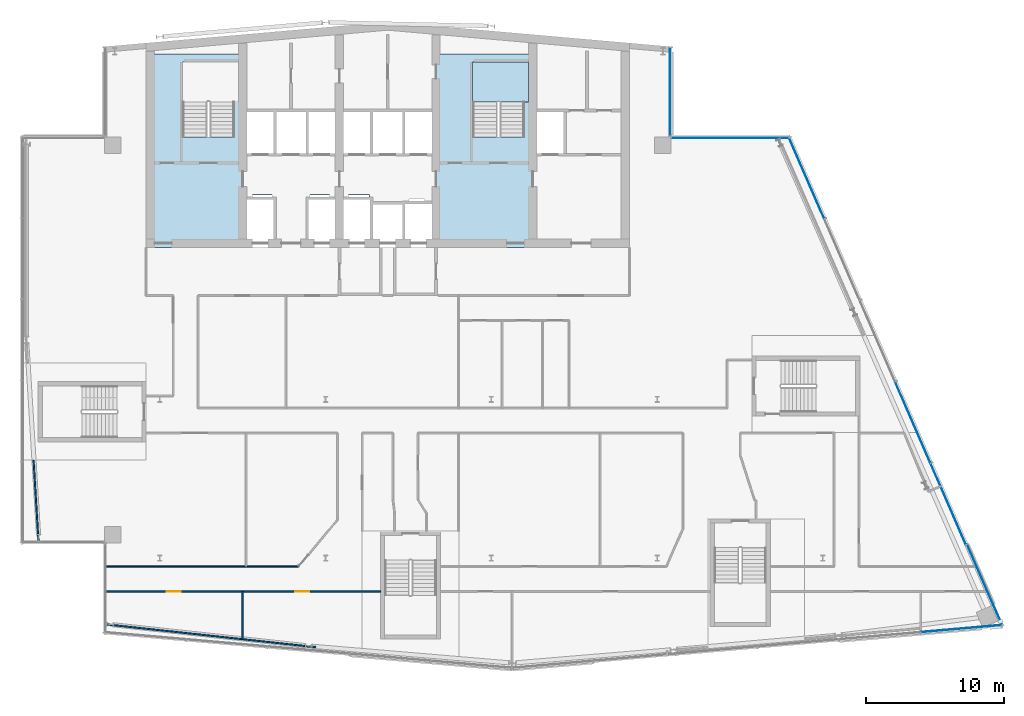
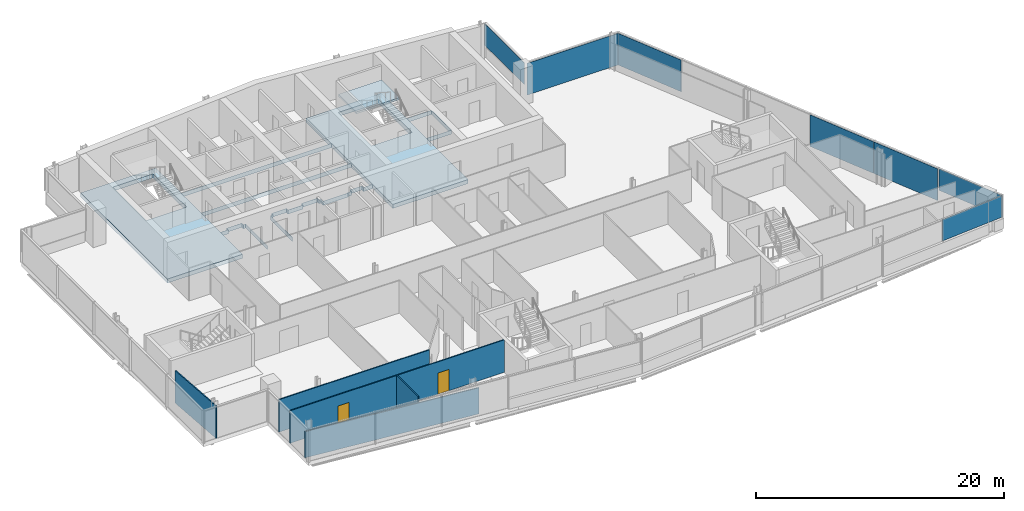
# One storey, part 13 of 22: 7 plates, 5 walls, 2 doors, 2 slabs, 2 openings, 5 elements without a shape of their own.
"""IFC4 building model written with IfcOpenShell, lengths in metres."""

from ifc_helpers import new_model, si_unit, direction, frame, frame_2d, origin, origin_2d, place, context, subcontext, project, spatial, polyline, rectangle, outline, extrude, material, layer, layer_set, type_object, element, fill, aggregate, save


model = new_model("IFC4")

# Units and contexts
model_context = context("Model", 3, precision=1e-05, world=origin(), true_north=direction((0.0, 1.0)))
body_context = subcontext(model_context, "Body", "Model", "MODEL_VIEW")
ifc_project = project(units=[si_unit("LENGTHUNIT", "METRE"), si_unit("AREAUNIT", "SQUARE_METRE"), si_unit("VOLUMEUNIT", "CUBIC_METRE"), si_unit("PLANEANGLEUNIT", "RADIAN"), si_unit("MASSUNIT", "GRAM", prefix="KILO")], contexts=[model_context])

# Site, building, storey
site_placement = place(None, origin())
site = spatial("IfcSite", under=ifc_project, at=site_placement, CompositionType="ELEMENT")
building_placement = place(site_placement, origin())
building = spatial("IfcBuilding", under=site, at=building_placement, Name="Wharfspan Tower", CompositionType="ELEMENT")
storey_placement = place(building_placement, frame((0.0, 0.0, 246.699951)))
storey = spatial("IfcBuildingStorey", under=building, at=storey_placement, Name="L62", CompositionType="ELEMENT", Elevation=246.699951)

# Curtain wall, plate
ifc_material_1 = material(Name="Aluminium 6063-T6", Category="aluminium")
curtain_wall_type_1 = type_object("IfcCurtainWallType", Name="CURTAIN WALL FACETED FRONT", PredefinedType="NOTDEFINED", material=ifc_material_1)
curtain_wall_1_placement = place(storey_placement, origin())
curtain_wall_1 = element("IfcCurtainWall", 1, at=curtain_wall_1_placement, inside=storey, type_object=curtain_wall_type_1, Name="Curtain wall S2", PredefinedType="NOTDEFINED")
ifc_material_2 = material(Name="Glass clear low-iron double glazing", Category="glass")
ifc_layer_1 = layer(ifc_material_2, 0.040039)
ifc_layer_set_1 = layer_set([ifc_layer_1], Name="Glass clear low-iron double glazing")
plate_type_1 = type_object("IfcPlateType", Name="GLASS PANEL FACETED FRONT 40", PredefinedType="CURTAIN_PANEL", material=ifc_layer_set_1)
plate_1_placement = place(storey_placement, frame((82.021484, 6.399658, 1.0), z_axis=(0.0, 0.0, 1.0), x_axis=(0.996197, 0.087156, 0.0)))
plate_1 = element("IfcPlate", 2, at=plate_1_placement, type_object=plate_type_1, Name="Curtain wall S2 panel 6", PredefinedType="CURTAIN_PANEL", context=body_context, shape_type="SweptSolid", body=[
    extrude(rectangle(XDim=5.849365, YDim=0.040039, at=origin_2d()), origin(), (0.0, 0.0, 1.0), 2.120117),
])
aggregate(curtain_wall_1, [plate_1])

curtain_wall_type_2 = type_object("IfcCurtainWallType", Name="CURTAIN WALL PROW AND END", PredefinedType="NOTDEFINED", material=ifc_material_1)
curtain_wall_2_placement = place(storey_placement, origin())
curtain_wall_2 = element("IfcCurtainWall", 3, at=curtain_wall_2_placement, inside=storey, type_object=curtain_wall_type_2, Name="Curtain wall E", PredefinedType="NOTDEFINED")
ifc_layer_2 = layer(ifc_material_2, 0.040039)
ifc_layer_set_2 = layer_set([ifc_layer_2], Name="Glass clear low-iron double glazing")
plate_type_2 = type_object("IfcPlateType", Name="GLASS PANEL PROW AND END 40", PredefinedType="CURTAIN_PANEL", material=ifc_layer_set_2)
plate_2_placement = place(storey_placement, frame((83.711426, 9.563721, 1.0), z_axis=(0.0, 0.0, 1.0), x_axis=(-0.398727, 0.917072, 0.0)))
plate_2 = element("IfcPlate", 4, at=plate_2_placement, type_object=plate_type_2, Name="Curtain wall E panel 1", PredefinedType="CURTAIN_PANEL", context=body_context, shape_type="SweptSolid", body=[
    extrude(rectangle(XDim=6.343506, YDim=0.040039, at=origin_2d()), origin(), (0.0, 0.0, 1.0), 2.120117),
])

curtain_wall_3_placement = place(storey_placement, origin())
curtain_wall_3 = element("IfcCurtainWall", 5, at=curtain_wall_3_placement, inside=storey, type_object=curtain_wall_type_2, Name="Curtain wall NRE-V", PredefinedType="NOTDEFINED")
plate_3_placement = place(storey_placement, frame((60.919922, 45.262451, 1.0), z_axis=(0.0, 0.0, 1.0), x_axis=(0.0, 1.0, 0.0)))
plate_3 = element("IfcPlate", 6, at=plate_3_placement, type_object=plate_type_2, Name="Curtain wall NRE-V panel 1", PredefinedType="CURTAIN_PANEL", context=body_context, shape_type="SweptSolid", body=[
    extrude(rectangle(XDim=6.405029, YDim=0.040039, at=origin_2d()), origin(), (0.0, 0.0, 1.0), 2.120117),
])
aggregate(curtain_wall_3, [plate_3])

# Plate
ifc_material_3 = material(Name="Aluminium composite opaque insulated panel", Category="aluminium")
ifc_layer_3 = layer(ifc_material_3, 0.040039)
ifc_layer_set_3 = layer_set([ifc_layer_3], Name="Aluminium composite opaque insulated panel")
plate_type_3 = type_object("IfcPlateType", Name="INFILL PANEL PROW AND END OPAQUE 40", PredefinedType="SHEET", material=ifc_layer_set_3)
plate_4_placement = place(storey_placement, frame((81.078857, 15.418213, 0.0), z_axis=(0.0, 0.0, 1.0), x_axis=(-0.398727, 0.917072, 0.0)))
plate_4 = element("IfcPlate", 7, at=plate_4_placement, type_object=plate_type_3, Name="Curtain wall E panel 2", PredefinedType="SHEET", context=body_context, shape_type="SweptSolid", body=[
    extrude(rectangle(XDim=6.373535, YDim=0.040039, at=origin_2d()), origin(), (0.0, 0.0, 1.0), 3.120117),
])

plate_5_placement = place(storey_placement, frame((78.513672, 21.318115, 0.0), z_axis=(0.0, 0.0, 1.0), x_axis=(-0.398727, 0.917072, 0.0)))
plate_5 = element("IfcPlate", 8, at=plate_5_placement, type_object=plate_type_3, Name="Curtain wall E panel 3", PredefinedType="SHEET", context=body_context, shape_type="SweptSolid", body=[
    extrude(rectangle(XDim=6.373535, YDim=0.040039, at=origin_2d()), origin(), (0.0, 0.0, 1.0), 3.120117),
])

plate_6_placement = place(storey_placement, frame((70.823975, 39.004395, 0.0), z_axis=(0.0, 0.0, 1.0), x_axis=(-0.398727, 0.917072, 0.0)))
plate_6 = element("IfcPlate", 9, at=plate_6_placement, type_object=plate_type_3, Name="Curtain wall E panel 6", PredefinedType="SHEET", context=body_context, shape_type="SweptSolid", body=[
    extrude(rectangle(XDim=6.343506, YDim=0.040039, at=origin_2d()), origin(), (0.0, 0.0, 1.0), 3.120117),
])

aggregate(curtain_wall_2, [plate_2, plate_4, plate_5, plate_6])

# Curtain wall, plate
curtain_wall_4_placement = place(storey_placement, origin())
curtain_wall_4 = element("IfcCurtainWall", 10, at=curtain_wall_4_placement, inside=storey, type_object=curtain_wall_type_2, Name="Curtain wall NRE-H", PredefinedType="NOTDEFINED")
plate_7_placement = place(storey_placement, frame((65.304443, 41.919922, 0.0), z_axis=(0.0, 0.0, 1.0), x_axis=(-1.0, 0.0, 0.0)))
plate_7 = element("IfcPlate", 11, at=plate_7_placement, type_object=plate_type_3, Name="Curtain wall NRE-H panel 1", PredefinedType="SHEET", context=body_context, shape_type="SweptSolid", body=[
    extrude(rectangle(XDim=8.48877, YDim=0.040039, at=origin_2d()), origin(), (0.0, 0.0, 1.0), 3.120117),
])
aggregate(curtain_wall_4, [plate_7])

# Slab
ifc_material_4 = material(Name="Concrete C40/50", Category="concrete")
ifc_layer_4 = layer(ifc_material_4, 0.399902)
ifc_layer_set_4 = layer_set([ifc_layer_4], Name="Concrete C40/50")
slab_type_1 = type_object("IfcSlabType", Name="Post-tensioned flat slab 400", PredefinedType="FLOOR", material=ifc_layer_set_4)
slab_1_placement = place(storey_placement, frame((0.0, 0.0, -0.400146)))
element("IfcSlab", 12, at=slab_1_placement, inside=storey, type_object=slab_type_1, Name="Core floor slab L62 part 2", PredefinedType="FLOOR", context=body_context, shape_type="SweptSolid", body=[
    extrude(outline(polyline([(23.0, 34.0), (29.998047, 34.0), (29.998047, 37.550049), (29.998047, 37.550293), (29.998047, 37.550293), (29.998047, 37.550537), (29.998291, 37.550781), (29.998291, 37.550781), (29.998291, 37.551025), (29.998535, 37.55127), (29.998535, 37.551514), (29.998779, 37.551514), (29.998779, 37.551758), (29.999023, 37.551758), (29.999268, 37.551758), (29.999512, 37.552002), (29.999512, 37.552002), (29.999756, 37.552002), (30.0, 37.552002), (30.7146, 37.552002), (30.7146, 37.800049), (30.7146, 37.800293), (30.7146, 37.800293), (30.714844, 37.800537), (30.714844, 37.800781), (30.714844, 37.800781), (30.715088, 37.801025), (30.715088, 37.80127), (30.715332, 37.801514), (30.715332, 37.801514), (30.715576, 37.801758), (30.71582, 37.801758), (30.71582, 37.801758), (30.716064, 37.802002), (30.716309, 37.802002), (30.716553, 37.802002), (30.716797, 37.802002), (32.116699, 37.802002), (32.116943, 37.802002), (32.117188, 37.802002), (32.117188, 37.802002), (32.117432, 37.801758), (32.117676, 37.801758), (32.11792, 37.801758), (32.11792, 37.801514), (32.118164, 37.801514), (32.118164, 37.80127), (32.118408, 37.801025), (32.118408, 37.800781), (32.118408, 37.800781), (32.118652, 37.800537), (32.118652, 37.800293), (32.118652, 37.800293), (32.118652, 37.800049), (32.118652, 37.552002), (32.333252, 37.552002), (32.333496, 37.552002), (32.33374, 37.552002), (32.333984, 37.552002), (32.333984, 37.551758), (32.334229, 37.551758), (32.334473, 37.551758), (32.334717, 37.551514), (32.334717, 37.551514), (32.334961, 37.55127), (32.334961, 37.551025), (32.335205, 37.550781), (32.335205, 37.550781), (32.335205, 37.550537), (32.335205, 37.550293), (32.335205, 37.550293), (32.335205, 37.550049), (32.335205, 34.0), (32.341309, 34.0), (32.341309, 37.558105), (32.126709, 37.558105), (32.126465, 37.558105), (32.126221, 37.558105), (32.126221, 37.558105), (32.125977, 37.558105), (32.125732, 37.558105), (32.125488, 37.55835), (32.125488, 37.558594), (32.125244, 37.558594), (32.125244, 37.558594), (32.125, 37.558838), (32.125, 37.559082), (32.125, 37.559082), (32.124756, 37.559326), (32.124756, 37.55957), (32.124756, 37.559814), (32.124756, 37.560059), (32.124756, 37.808105), (30.70874, 37.808105), (30.70874, 37.560059), (30.70874, 37.559814), (30.70874, 37.55957), (30.708496, 37.559326), (30.708496, 37.559082), (30.708496, 37.559082), (30.708496, 37.558838), (30.708252, 37.558594), (30.708008, 37.558594), (30.708008, 37.558594), (30.707764, 37.55835), (30.70752, 37.558105), (30.70752, 37.558105), (30.707275, 37.558105), (30.707031, 37.558105), (30.706787, 37.558105), (30.706787, 37.558105), (30.01001, 37.558105), (30.009766, 37.558105), (30.009521, 37.558105), (30.009521, 37.558105), (30.009277, 37.558105), (30.009033, 37.558105), (30.008789, 37.55835), (30.008789, 37.558594), (30.008545, 37.558594), (30.008545, 37.558594), (30.008301, 37.558838), (30.008301, 37.559082), (30.008301, 37.559082), (30.008057, 37.559326), (30.008057, 37.55957), (30.008057, 37.559814), (30.008057, 37.560059), (30.008057, 40.689941), (30.008057, 40.690186), (30.008057, 40.69043), (30.008057, 40.690674), (30.008301, 40.690918), (30.008301, 40.690918), (30.008301, 40.691162), (30.008545, 40.691406), (30.008545, 40.691406), (30.008789, 40.691406), (30.008789, 40.69165), (30.009033, 40.691895), (30.009277, 40.691895), (30.009521, 40.691895), (30.009521, 40.691895), (30.009766, 40.691895), (30.01001, 40.691895), (43.98999, 40.691895), (43.990234, 40.691895), (43.990479, 40.691895), (43.990479, 40.691895), (43.990723, 40.691895), (43.990967, 40.691895), (43.991211, 40.69165), (43.991211, 40.691406), (43.991455, 40.691406), (43.991455, 40.691406), (43.991699, 40.691162), (43.991699, 40.690918), (43.991699, 40.690918), (43.991943, 40.690674), (43.991943, 40.69043), (43.991943, 40.690186), (43.991943, 40.689941), (43.991943, 37.26001), (43.991943, 37.259766), (43.991943, 37.259521), (43.991943, 37.259521), (43.991699, 37.259277), (43.991699, 37.259033), (43.991699, 37.258789), (43.991455, 37.258789), (43.991455, 37.258545), (43.991211, 37.258545), (43.991211, 37.258301), (43.990967, 37.258301), (43.990723, 37.258301), (43.990479, 37.258057), (43.990479, 37.258057), (43.990234, 37.258057), (43.98999, 37.258057), (43.143311, 37.258057), (43.143066, 37.258057), (43.142822, 37.258057), (43.142578, 37.258057), (43.142578, 37.258301), (43.142334, 37.258301), (43.14209, 37.258301), (43.14209, 37.258545), (43.141846, 37.258545), (43.141846, 37.258789), (43.141602, 37.258789), (43.141602, 37.259033), (43.141602, 37.259277), (43.141357, 37.259521), (43.141357, 37.259521), (43.141357, 37.259766), (43.141357, 37.26001), (43.141357, 37.508057), (42.025391, 37.508057), (42.025391, 37.26001), (42.025391, 37.259766), (42.025391, 37.259521), (42.025146, 37.259521), (42.025146, 37.259277), (42.025146, 37.259033), (42.024902, 37.258789), (42.024902, 37.258789), (42.024658, 37.258545), (42.024658, 37.258545), (42.024414, 37.258301), (42.02417, 37.258301), (42.02417, 37.258301), (42.023926, 37.258057), (42.023682, 37.258057), (42.023438, 37.258057), (42.023193, 37.258057), (41.658691, 37.258057), (41.658691, 37.209961), (41.658691, 37.209717), (41.658691, 37.209717), (41.658691, 37.209473), (41.658447, 37.209229), (41.658447, 37.208984), (41.658447, 37.208984), (41.658203, 37.20874), (41.658203, 37.208496), (41.657959, 37.208496), (41.657715, 37.208252), (41.657715, 37.208252), (41.657471, 37.208252), (41.657227, 37.208008), (41.656982, 37.208008), (41.656982, 37.208008), (41.656738, 37.208008), (39.343262, 37.208008), (39.343018, 37.208008), (39.343018, 37.208008), (39.342773, 37.208008), (39.342529, 37.208252), (39.342285, 37.208252), (39.342285, 37.208252), (39.342041, 37.208496), (39.341797, 37.208496), (39.341797, 37.20874), (39.341553, 37.208984), (39.341553, 37.208984), (39.341553, 37.209229), (39.341309, 37.209473), (39.341309, 37.209717), (39.341309, 37.209717), (39.341309, 37.209961), (39.341309, 37.558105), (39.166748, 37.558105), (39.166504, 37.558105), (39.16626, 37.558105), (39.166016, 37.558105), (39.166016, 37.558105), (39.165771, 37.558105), (39.165527, 37.55835), (39.165283, 37.558594), (39.165283, 37.558594), (39.165283, 37.558594), (39.165039, 37.558838), (39.164795, 37.559082), (39.164795, 37.559082), (39.164795, 37.559326), (39.164795, 37.55957), (39.164795, 37.559814), (39.164795, 37.560059), (39.164795, 37.808105), (37.668701, 37.808105), (37.668701, 37.560059), (37.668701, 37.559814), (37.668701, 37.55957), (37.668701, 37.559326), (37.668457, 37.559082), (37.668457, 37.559082), (37.668457, 37.558838), (37.668213, 37.558594), (37.668213, 37.558594), (37.667969, 37.558594), (37.667725, 37.55835), (37.66748, 37.558105), (37.66748, 37.558105), (37.667236, 37.558105), (37.666992, 37.558105), (37.666992, 37.558105), (37.666748, 37.558105), (36.293213, 37.558105), (36.293213, 37.558105), (36.292969, 37.558105), (36.292725, 37.558105), (36.29248, 37.558105), (36.29248, 37.558105), (36.292236, 37.55835), (36.291992, 37.558594), (36.291992, 37.558594), (36.291748, 37.558594), (36.291504, 37.558838), (36.291504, 37.559082), (36.291504, 37.559082), (36.291504, 37.559326), (36.29126, 37.55957), (36.29126, 37.559814), (36.29126, 37.560059), (36.29126, 37.808105), (34.875244, 37.808105), (34.875244, 37.560059), (34.875244, 37.559814), (34.875244, 37.55957), (34.875244, 37.559326), (34.875, 37.559082), (34.875, 37.559082), (34.875, 37.558838), (34.874756, 37.558594), (34.874756, 37.558594), (34.874512, 37.558594), (34.874512, 37.55835), (34.874268, 37.558105), (34.874023, 37.558105), (34.873779, 37.558105), (34.873779, 37.558105), (34.873535, 37.558105), (34.873291, 37.558105), (34.658691, 37.558105), (34.658691, 34.0), (34.664795, 34.0), (34.664795, 37.550049), (34.664795, 37.550293), (34.664795, 37.550293), (34.664795, 37.550537), (34.664795, 37.550781), (34.664795, 37.550781), (34.665039, 37.551025), (34.665039, 37.55127), (34.665283, 37.551514), (34.665283, 37.551514), (34.665527, 37.551758), (34.665771, 37.551758), (34.666016, 37.551758), (34.666016, 37.552002), (34.66626, 37.552002), (34.666504, 37.552002), (34.666748, 37.552002), (34.881348, 37.552002), (34.881348, 37.800049), (34.881348, 37.800293), (34.881348, 37.800293), (34.881348, 37.800537), (34.881592, 37.800781), (34.881592, 37.800781), (34.881592, 37.801025), (34.881836, 37.80127), (34.881836, 37.801514), (34.88208, 37.801514), (34.88208, 37.801758), (34.882324, 37.801758), (34.882568, 37.801758), (34.882812, 37.802002), (34.882812, 37.802002), (34.883057, 37.802002), (34.883301, 37.802002), (36.283203, 37.802002), (36.283447, 37.802002), (36.283691, 37.802002), (36.283936, 37.802002), (36.28418, 37.801758), (36.28418, 37.801758), (36.284424, 37.801758), (36.284668, 37.801514), (36.284668, 37.801514), (36.284912, 37.80127), (36.284912, 37.801025), (36.285156, 37.800781), (36.285156, 37.800781), (36.285156, 37.800537), (36.2854, 37.800293), (36.2854, 37.800293), (36.2854, 37.800049), (36.2854, 37.552002), (37.674805, 37.552002), (37.674805, 37.800049), (37.674805, 37.800293), (37.674805, 37.800293), (37.674805, 37.800537), (37.674805, 37.800781), (37.674805, 37.800781), (37.675049, 37.801025), (37.675049, 37.80127), (37.675293, 37.801514), (37.675293, 37.801514), (37.675537, 37.801758), (37.675781, 37.801758), (37.675781, 37.801758), (37.676025, 37.802002), (37.67627, 37.802002), (37.676514, 37.802002), (37.676758, 37.802002), (39.156738, 37.802002), (39.156982, 37.802002), (39.156982, 37.802002), (39.157227, 37.802002), (39.157471, 37.801758), (39.157715, 37.801758), (39.157715, 37.801758), (39.157959, 37.801514), (39.158203, 37.801514), (39.158203, 37.80127), (39.158203, 37.801025), (39.158447, 37.800781), (39.158447, 37.800781), (39.158691, 37.800537), (39.158691, 37.800293), (39.158691, 37.800293), (39.158691, 37.800049), (39.158691, 37.552002), (39.333252, 37.552002), (39.333496, 37.552002), (39.33374, 37.552002), (39.333984, 37.552002), (39.333984, 37.551758), (39.334229, 37.551758), (39.334473, 37.551758), (39.334717, 37.551514), (39.334717, 37.551514), (39.334961, 37.55127), (39.334961, 37.551025), (39.335205, 37.550781), (39.335205, 37.550781), (39.335205, 37.550537), (39.335205, 37.550293), (39.335205, 37.550293), (39.335205, 37.550049), (39.335205, 37.201904), (41.664795, 37.201904), (41.664795, 37.25), (41.664795, 37.250244), (41.664795, 37.250488), (41.664795, 37.250488), (41.664795, 37.250732), (41.664795, 37.250977), (41.665039, 37.251221), (41.665039, 37.251221), (41.665283, 37.251465), (41.665283, 37.251465), (41.665527, 37.251709), (41.665771, 37.251709), (41.666016, 37.251709), (41.666016, 37.251953), (41.66626, 37.251953), (41.666504, 37.251953), (41.666748, 37.251953), (42.03125, 37.251953), (42.03125, 37.5), (42.03125, 37.500244), (42.031494, 37.500488), (42.031494, 37.500488), (42.031494, 37.500732), (42.031494, 37.500977), (42.031738, 37.501221), (42.031738, 37.501221), (42.031982, 37.501465), (42.031982, 37.501465), (42.032227, 37.501709), (42.032471, 37.501709), (42.032715, 37.501709), (42.032715, 37.501953), (42.032959, 37.501953), (42.033203, 37.501953), (42.033203, 37.501953), (43.133301, 37.501953), (43.133545, 37.501953), (43.133789, 37.501953), (43.133789, 37.501953), (43.134033, 37.501709), (43.134277, 37.501709), (43.134521, 37.501709), (43.134521, 37.501465), (43.134766, 37.501465), (43.13501, 37.501221), (43.13501, 37.501221), (43.13501, 37.500977), (43.135254, 37.500732), (43.135254, 37.500488), (43.135254, 37.500488), (43.135254, 37.500244), (43.135254, 37.5), (43.135254, 37.251953), (44.0, 37.251953), (44.000244, 37.251953), (44.000488, 37.251953), (44.000488, 37.251953), (44.000732, 37.251709), (44.000977, 37.251709), (44.001221, 37.251709), (44.001221, 37.251465), (44.001465, 37.251465), (44.001465, 37.251221), (44.001709, 37.251221), (44.001709, 37.250977), (44.001709, 37.250732), (44.001953, 37.250488), (44.001953, 37.250488), (44.001953, 37.250244), (44.001953, 37.25), (44.001953, 34.0), (51.0, 34.0), (51.008057, 34.0), (51.008057, 40.689941), (51.008057, 40.690186), (51.008057, 40.69043), (51.008057, 40.690674), (51.008301, 40.690918), (51.008301, 40.690918), (51.008301, 40.691162), (51.008545, 40.691406), (51.008545, 40.691406), (51.008789, 40.691406), (51.008789, 40.69165), (51.009033, 40.691895), (51.009277, 40.691895), (51.009521, 40.691895), (51.009521, 40.691895), (51.009766, 40.691895), (51.01001, 40.691895), (53.341309, 40.691895), (53.341309, 43.907959), (51.01001, 43.907959), (51.009766, 43.907959), (51.009521, 43.907959), (51.009521, 43.908203), (51.009277, 43.908203), (51.009033, 43.908203), (51.008789, 43.908203), (51.008789, 43.908447), (51.008545, 43.908691), (51.008545, 43.908691), (51.008301, 43.908936), (51.008301, 43.90918), (51.008301, 43.90918), (51.008057, 43.909424), (51.008057, 43.909668), (51.008057, 43.909912), (51.008057, 43.909912), (51.008057, 48.008057), (43.991943, 48.008057), (43.991943, 43.909912), (43.991943, 43.909912), (43.991943, 43.909668), (43.991943, 43.909424), (43.991699, 43.90918), (43.991699, 43.90918), (43.991699, 43.908936), (43.991455, 43.908691), (43.991455, 43.908691), (43.991211, 43.908447), (43.991211, 43.908203), (43.990967, 43.908203), (43.990723, 43.908203), (43.990479, 43.908203), (43.990479, 43.907959), (43.990234, 43.907959), (43.98999, 43.907959), (30.01001, 43.907959), (30.009766, 43.907959), (30.009521, 43.907959), (30.009521, 43.908203), (30.009277, 43.908203), (30.009033, 43.908203), (30.008789, 43.908203), (30.008789, 43.908447), (30.008545, 43.908691), (30.008545, 43.908691), (30.008301, 43.908936), (30.008301, 43.90918), (30.008301, 43.90918), (30.008057, 43.909424), (30.008057, 43.909668), (30.008057, 43.909912), (30.008057, 43.909912), (30.008057, 48.008057), (23.0, 48.008057), (23.0, 48.0), (23.0, 34.0)]), holes=[polyline([(53.333252, 43.9021), (53.333496, 43.9021), (53.33374, 43.9021), (53.333984, 43.901855), (53.333984, 43.901855), (53.334229, 43.901855), (53.334473, 43.901611), (53.334717, 43.901611), (53.334717, 43.901367), (53.334961, 43.901367), (53.334961, 43.901123), (53.335205, 43.900879), (53.335205, 43.900879), (53.335205, 43.900635), (53.335205, 43.900391), (53.335205, 43.900146), (53.335205, 43.899902), (53.335205, 40.699951), (53.335205, 40.699707), (53.335205, 40.699707), (53.335205, 40.699463), (53.335205, 40.699219), (53.335205, 40.699219), (53.334961, 40.698975), (53.334961, 40.69873), (53.334717, 40.698486), (53.334717, 40.698486), (53.334473, 40.698242), (53.334229, 40.698242), (53.333984, 40.698242), (53.333984, 40.697998), (53.33374, 40.697998), (53.333496, 40.697998), (53.333252, 40.697998), (51.0, 40.697998), (50.999756, 40.697998), (50.999512, 40.697998), (50.999512, 40.697998), (50.999268, 40.698242), (50.999023, 40.698242), (50.998779, 40.698242), (50.998779, 40.698486), (50.998535, 40.698486), (50.998535, 40.69873), (50.998291, 40.698975), (50.998291, 40.699219), (50.998291, 40.699219), (50.998047, 40.699463), (50.998047, 40.699707), (50.998047, 40.699707), (50.998047, 40.699951), (50.998047, 43.899902), (50.998047, 43.900146), (50.998047, 43.900391), (50.998047, 43.900635), (50.998291, 43.900879), (50.998291, 43.900879), (50.998291, 43.901123), (50.998535, 43.901367), (50.998535, 43.901367), (50.998779, 43.901611), (50.998779, 43.901611), (50.999023, 43.901855), (50.999268, 43.901855), (50.999512, 43.901855), (50.999512, 43.9021), (50.999756, 43.9021), (51.0, 43.9021), (53.333252, 43.9021)]), polyline([(46.649902, 41.998047), (46.649902, 41.998047), (46.649658, 41.998047), (46.649414, 41.998047), (46.64917, 41.998291), (46.64917, 41.998291), (46.648926, 41.998291), (46.648682, 41.998535), (46.648682, 41.998535), (46.648438, 41.998779), (46.648193, 41.998779), (46.648193, 41.999023), (46.648193, 41.999268), (46.648193, 41.999512), (46.647949, 41.999512), (46.647949, 41.999756), (46.647949, 42.0), (46.647949, 47.399902), (46.647949, 47.400146), (46.647949, 47.400391), (46.648193, 47.400635), (46.648193, 47.400879), (46.648193, 47.400879), (46.648193, 47.401123), (46.648438, 47.401367), (46.648682, 47.401367), (46.648682, 47.401611), (46.648926, 47.401611), (46.64917, 47.401855), (46.64917, 47.401855), (46.649414, 47.401855), (46.649658, 47.4021), (46.649902, 47.4021), (46.649902, 47.4021), (50.399902, 47.4021), (50.400146, 47.4021), (50.400391, 47.4021), (50.400635, 47.401855), (50.400879, 47.401855), (50.400879, 47.401855), (50.401123, 47.401611), (50.401367, 47.401611), (50.401367, 47.401367), (50.401611, 47.401367), (50.401611, 47.401123), (50.401855, 47.400879), (50.401855, 47.400879), (50.401855, 47.400635), (50.4021, 47.400391), (50.4021, 47.400146), (50.4021, 47.399902), (50.4021, 42.0), (50.4021, 41.999756), (50.4021, 41.999512), (50.401855, 41.999512), (50.401855, 41.999268), (50.401855, 41.999023), (50.401611, 41.998779), (50.401611, 41.998779), (50.401367, 41.998535), (50.401367, 41.998535), (50.401123, 41.998291), (50.400879, 41.998291), (50.400879, 41.998291), (50.400635, 41.998047), (50.400391, 41.998047), (50.400146, 41.998047), (50.399902, 41.998047), (46.649902, 41.998047)]), polyline([(44.0, 43.9021), (44.000244, 43.9021), (44.000488, 43.9021), (44.000488, 43.901855), (44.000732, 43.901855), (44.000977, 43.901855), (44.001221, 43.901611), (44.001221, 43.901611), (44.001465, 43.901367), (44.001465, 43.901367), (44.001709, 43.901123), (44.001709, 43.900879), (44.001709, 43.900879), (44.001953, 43.900635), (44.001953, 43.900391), (44.001953, 43.900146), (44.001953, 43.899902), (44.001953, 40.699951), (44.001953, 40.699707), (44.001953, 40.699707), (44.001953, 40.699463), (44.001709, 40.699219), (44.001709, 40.699219), (44.001709, 40.698975), (44.001465, 40.69873), (44.001465, 40.698486), (44.001221, 40.698486), (44.001221, 40.698242), (44.000977, 40.698242), (44.000732, 40.698242), (44.000488, 40.697998), (44.000488, 40.697998), (44.000244, 40.697998), (44.0, 40.697998), (30.0, 40.697998), (29.999756, 40.697998), (29.999512, 40.697998), (29.999512, 40.697998), (29.999268, 40.698242), (29.999023, 40.698242), (29.998779, 40.698242), (29.998779, 40.698486), (29.998535, 40.698486), (29.998535, 40.69873), (29.998291, 40.698975), (29.998291, 40.699219), (29.998291, 40.699219), (29.998047, 40.699463), (29.998047, 40.699707), (29.998047, 40.699707), (29.998047, 40.699951), (29.998047, 43.899902), (29.998047, 43.900146), (29.998047, 43.900391), (29.998047, 43.900635), (29.998291, 43.900879), (29.998291, 43.900879), (29.998291, 43.901123), (29.998535, 43.901367), (29.998535, 43.901367), (29.998779, 43.901611), (29.998779, 43.901611), (29.999023, 43.901855), (29.999268, 43.901855), (29.999512, 43.901855), (29.999512, 43.9021), (29.999756, 43.9021), (30.0, 43.9021), (44.0, 43.9021)]), polyline([(29.4021, 42.0), (29.4021, 41.999756), (29.4021, 41.999512), (29.401855, 41.999512), (29.401855, 41.999268), (29.401855, 41.999023), (29.401611, 41.998779), (29.401611, 41.998779), (29.401367, 41.998535), (29.401367, 41.998535), (29.401123, 41.998291), (29.400879, 41.998291), (29.400879, 41.998291), (29.400635, 41.998047), (29.400391, 41.998047), (29.400146, 41.998047), (29.399902, 41.998047), (25.649902, 41.998047), (25.649902, 41.998047), (25.649658, 41.998047), (25.649414, 41.998047), (25.64917, 41.998291), (25.64917, 41.998291), (25.648926, 41.998291), (25.648682, 41.998535), (25.648682, 41.998535), (25.648438, 41.998779), (25.648193, 41.998779), (25.648193, 41.999023), (25.648193, 41.999268), (25.648193, 41.999512), (25.647949, 41.999512), (25.647949, 41.999756), (25.647949, 42.0), (25.647949, 47.399902), (25.647949, 47.400146), (25.647949, 47.400391), (25.648193, 47.400635), (25.648193, 47.400879), (25.648193, 47.400879), (25.648193, 47.401123), (25.648438, 47.401367), (25.648682, 47.401367), (25.648682, 47.401611), (25.648926, 47.401611), (25.64917, 47.401855), (25.64917, 47.401855), (25.649414, 47.401855), (25.649658, 47.4021), (25.649902, 47.4021), (25.649902, 47.4021), (29.399902, 47.4021), (29.400146, 47.4021), (29.400391, 47.4021), (29.400635, 47.401855), (29.400879, 47.401855), (29.400879, 47.401855), (29.401123, 47.401611), (29.401367, 47.401611), (29.401367, 47.401367), (29.401611, 47.401367), (29.401611, 47.401123), (29.401855, 47.400879), (29.401855, 47.400879), (29.401855, 47.400635), (29.4021, 47.400391), (29.4021, 47.400146), (29.4021, 47.399902), (29.4021, 42.0)])]), origin(), (0.0, 0.0, 1.0), 0.400146),
])

# Stair, slab
stair_type = type_object("IfcStairType", Name="Half-turn stair 20 risers 180 mm", PredefinedType="HALF_TURN_STAIR", material=ifc_material_4)
stair_placement = place(storey_placement, origin())
stair = element("IfcStair", 13, at=stair_placement, inside=storey, type_object=stair_type, Name="L62 stair ST2", PredefinedType="HALF_TURN_STAIR")
ifc_layer_5 = layer(ifc_material_4, 0.199951)
ifc_layer_set_5 = layer_set([ifc_layer_5], Name="Concrete C40/50")
slab_type_2 = type_object("IfcSlabType", Name="Stair landing 200", PredefinedType="LANDING", material=ifc_layer_set_5)
slab_2_placement = place(storey_placement, frame((0.0, 0.0, 1.599854)))
slab_2 = element("IfcSlab", 14, at=slab_2_placement, type_object=slab_type_2, Name="ST2 landing 1", PredefinedType="LANDING", context=body_context, shape_type="SweptSolid", body=[
    extrude(outline(polyline([(46.649902, 44.52002), (50.699951, 44.52002), (50.699951, 47.399902), (46.649902, 47.399902), (46.649902, 44.52002)])), origin(), (0.0, 0.0, 1.0), 0.200195),
])
aggregate(stair, [slab_2])

# Wall, openings, doors
ifc_material_5 = material(Name="Gypsum board on steel studs", Category="steel")
ifc_layer_6 = layer(ifc_material_5, 0.100098)
ifc_layer_set_6 = layer_set([ifc_layer_6], Name="Gypsum board on steel studs")
wall_type_1 = type_object("IfcWallType", Name="Compartment wall 100 EI 60", PredefinedType="PARTITIONING", material=ifc_layer_set_6)
wall_1_placement = place(storey_placement, frame((20.02002, 9.094971, 0.0), z_axis=(0.0, 0.0, 1.0), x_axis=(1.0, 0.0, 0.0)))
wall_1 = element("IfcWall", 15, at=wall_1_placement, inside=storey, type_object=wall_type_1, Name="Partition L62.w004", PredefinedType="PARTITIONING", context=body_context, shape_type="SweptSolid", body=[
    extrude(rectangle(XDim=19.957031, YDim=0.100098, at=frame_2d((9.978516, 0.0))), origin(), (0.0, 0.0, 1.0), 3.199951),
])
opening_1_placement = place(wall_1_placement, frame((4.47998, 0.0, 0.0)))
opening_1 = element("IfcOpeningElement", 16, at=opening_1_placement, cuts=wall_1, Name="Opening D5-01", PredefinedType="OPENING", context=body_context, shape_type="SweptSolid", body=[
    extrude(rectangle(XDim=1.0, YDim=2.100098, at=frame_2d((0.5, 1.050049))), frame((0.0, 0.060059, 0.0), z_axis=(0.0, -1.0, 0.0), x_axis=(1.0, 0.0, 0.0)), (0.0, 0.0, 1.0), 0.120117),
])
opening_2_placement = place(wall_1_placement, frame((13.800049, 0.0, 0.0)))
opening_2 = element("IfcOpeningElement", 17, at=opening_2_placement, cuts=wall_1, Name="Opening D5-02", PredefinedType="OPENING", context=body_context, shape_type="SweptSolid", body=[
    extrude(rectangle(XDim=1.0, YDim=2.100098, at=frame_2d((0.5, 1.050049))), frame((0.0, 0.060059, 0.0), z_axis=(0.0, -1.0, 0.0), x_axis=(1.0, 0.0, 0.0)), (0.0, 0.0, 1.0), 0.120117),
])
ifc_material_6 = material(Name="Fire-rated timber door leaf in steel frame", Category="steel")
door_type_1 = type_object("IfcDoorType", Name="Door 1000 FD30S Left", OperationType="SINGLE_SWING_LEFT", PredefinedType="DOOR", material=ifc_material_6)
door_1_placement = place(opening_1_placement, origin())
door_1 = element("IfcDoor", 18, at=door_1_placement, inside=storey, type_object=door_type_1, Name="Door D5-01", OperationType="SINGLE_SWING_LEFT", OverallHeight=2.100098, OverallWidth=1.0, PredefinedType="DOOR", context=body_context, shape_type="SweptSolid", body=[
    extrude(rectangle(XDim=1.0, YDim=2.100098, at=frame_2d((0.5, 1.050049))), frame((0.0, 0.024902, 0.0), z_axis=(0.0, -1.0, 0.0), x_axis=(1.0, 0.0, 0.0)), (0.0, 0.0, 1.0), 0.050049),
])
fill(opening_1, door_1)
door_type_2 = type_object("IfcDoorType", Name="Door 1000 FD30S Right", OperationType="SINGLE_SWING_RIGHT", PredefinedType="DOOR", material=ifc_material_6)
door_2_placement = place(opening_2_placement, origin())
door_2 = element("IfcDoor", 19, at=door_2_placement, inside=storey, type_object=door_type_2, Name="Door D5-02", OperationType="SINGLE_SWING_RIGHT", OverallHeight=2.100098, OverallWidth=1.0, PredefinedType="DOOR", context=body_context, shape_type="SweptSolid", body=[
    extrude(rectangle(XDim=1.0, YDim=2.100098, at=frame_2d((0.5, 1.050049))), frame((0.0, 0.024902, 0.0), z_axis=(0.0, -1.0, 0.0), x_axis=(1.0, 0.0, 0.0)), (0.0, 0.0, 1.0), 0.050049),
])
fill(opening_2, door_2)

# Walls
wall_2_placement = place(storey_placement, frame((20.02002, 10.89502, 0.0), z_axis=(0.0, 0.0, 1.0), x_axis=(1.0, 0.0, 0.0)))
element("IfcWall", 20, at=wall_2_placement, inside=storey, type_object=wall_type_1, Name="Partition L62.w005", PredefinedType="PARTITIONING", context=body_context, shape_type="SweptSolid", body=[
    extrude(rectangle(XDim=14.02002, YDim=0.100098, at=frame_2d((7.01001, 0.0))), origin(), (0.0, 0.0, 1.0), 3.199951),
])
wall_3_placement = place(storey_placement, frame((30.0, 5.629883, 0.0), z_axis=(0.0, 0.0, 1.0), x_axis=(0.0, 1.0, 0.0)))
element("IfcWall", 21, at=wall_3_placement, inside=storey, type_object=wall_type_1, Name="Partition L62.w014", PredefinedType="PARTITIONING", context=body_context, shape_type="SweptSolid", body=[
    extrude(rectangle(XDim=3.465088, YDim=0.100098, at=frame_2d((1.732422, 0.0))), origin(), (0.0, 0.0, 1.0), 3.199951),
])
ifc_layer_7 = layer(ifc_material_5, 0.100098)
ifc_layer_set_7 = layer_set([ifc_layer_7], Name="Gypsum board on steel studs")
wall_type_2 = type_object("IfcWallType", Name="Partition 100", PredefinedType="PARTITIONING", material=ifc_layer_set_7)
wall_4_placement = place(storey_placement, frame((15.223877, 12.620117, 0.0), z_axis=(0.0, 0.0, 1.0), x_axis=(-0.060759, 0.998149, 0.0)))
element("IfcWall", 22, at=wall_4_placement, inside=storey, type_object=wall_type_2, Name="Partition L62.w003", PredefinedType="PARTITIONING", context=body_context, shape_type="SweptSolid", body=[
    extrude(rectangle(XDim=5.970947, YDim=0.100098, at=frame_2d((2.985352, 0.0))), origin(), (0.0, 0.0, 1.0), 3.199951),
])
wall_5_placement = place(storey_placement, frame((35.274902, 5.054932, 0.0), z_axis=(0.0, 0.0, 1.0), x_axis=(-0.994114, 0.108368, 0.0)))
element("IfcWall", 23, at=wall_5_placement, inside=storey, type_object=wall_type_2, Name="Partition L62.w018", PredefinedType="PARTITIONING", context=body_context, shape_type="SweptSolid", body=[
    extrude(rectangle(XDim=15.335449, YDim=0.100098, at=frame_2d((7.667725, 0.0))), origin(), (0.0, 0.0, 1.0), 2.580078),
])

save(model, "model.ifc")
